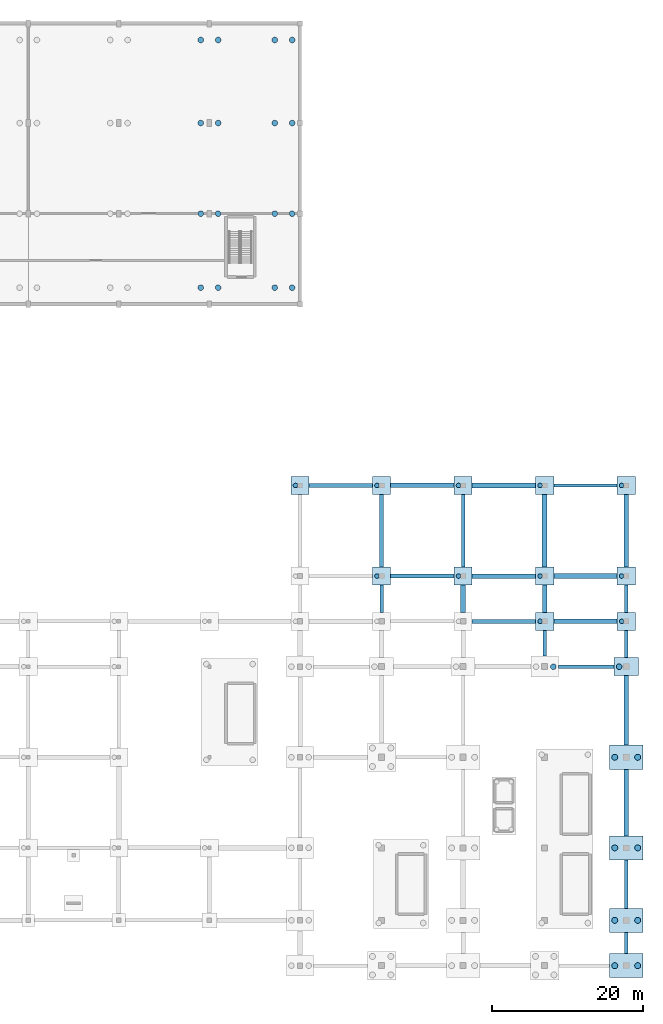
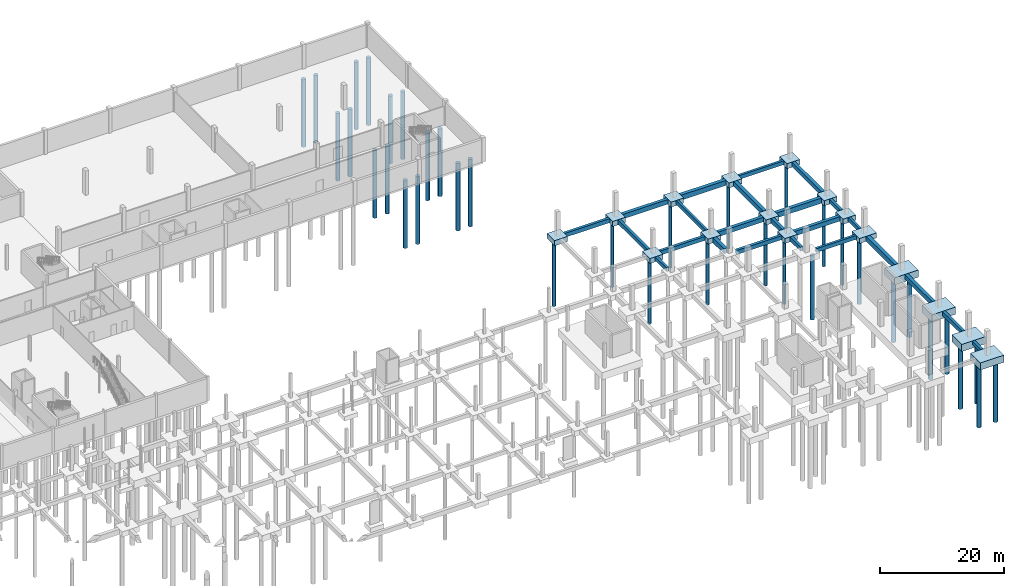
# One storey, part 6 of 31: 40 footings, 37 piles.
"""IFC4 building model written with IfcOpenShell, lengths in metres."""

from ifc_helpers import new_model, si_unit, direction, frame, origin, origin_2d, place, context, subcontext, project, spatial, rectangle, circle, extrude, material, layer, layer_set, material_profile, profile_set, type_object, element, save


model = new_model("IFC4")

# Units and contexts
model_context = context("Model", 3, precision=1e-05, world=origin(), true_north=direction((0.0, 1.0)))
body_context = subcontext(model_context, "Body", "Model", "MODEL_VIEW")
ifc_project = project(units=[si_unit("LENGTHUNIT", "METRE"), si_unit("AREAUNIT", "SQUARE_METRE"), si_unit("VOLUMEUNIT", "CUBIC_METRE"), si_unit("PLANEANGLEUNIT", "RADIAN"), si_unit("MASSUNIT", "GRAM", prefix="KILO")], contexts=[model_context])

# Site, building, storey
site_placement = place(None, origin())
site = spatial("IfcSite", under=ifc_project, at=site_placement, CompositionType="ELEMENT")
building_placement = place(site_placement, origin())
building = spatial("IfcBuilding", under=site, at=building_placement, Name="Merenkruunu Market Hall", CompositionType="ELEMENT")
storey_placement = place(building_placement, frame((0.0, 0.0, -4.800048828125)))
storey = spatial("IfcBuildingStorey", under=building, at=storey_placement, Name="B1", CompositionType="ELEMENT", Elevation=-4.800048828125)

# Footings
ifc_material = material(Name="Concrete C35/45", Category="concrete")
ifc_layer_1 = layer(ifc_material, 1.0)
ifc_layer_set_1 = layer_set([ifc_layer_1], Name="Concrete C35/45")
footing_type_1 = type_object("IfcFootingType", Name="Multi Pile Cap PC01", PredefinedType="PILE_CAP", material=ifc_layer_set_1)
for number, where, z_axis, x_axis, name in (
    (1, (148.800048828125, 63.60009765625, -1.0), (0.0, 0.0, 1.0), (1.0, 0.0, 0.0), "FTG-CAP-Q-08"),
    (2, (159.60009765625, 51.60009765625, -1.0), (0.0, 0.0, 1.0), (1.0, 0.0, 0.0), "FTG-CAP-R-07"),
    (3, (159.60009765625, 63.60009765625, -1.0), (0.0, 0.0, 1.0), (1.0, 0.0, 0.0), "FTG-CAP-R-08"),
    (4, (170.39990234375, 51.60009765625, -1.0), (0.0, 0.0, 1.0), (1.0, 0.0, 0.0), "FTG-CAP-S-07"),
    (5, (170.39990234375, 63.60009765625, -1.0), (0.0, 0.0, 1.0), (1.0, 0.0, 0.0), "FTG-CAP-S-08"),
    (6, (181.199951171875, 45.60009765625, -1.0), (0.0, 0.0, 1.0), (1.0, 0.0, 0.0), "FTG-CAP-T-06"),
    (7, (181.199951171875, 51.60009765625, -1.0), (0.0, 0.0, 1.0), (1.0, 0.0, 0.0), "FTG-CAP-T-07"),
    (8, (181.199951171875, 63.60009765625, -1.0), (0.0, 0.0, 1.0), (1.0, 0.0, 0.0), "FTG-CAP-T-08"),
    (9, (192.0, 45.60009765625, -1.0), (0.0, 0.0, 1.0), (1.0, 0.0, 0.0), "FTG-CAP-U-06"),
    (10, (192.0, 51.60009765625, -1.0), (0.0, 0.0, 1.0), (1.0, 0.0, 0.0), "FTG-CAP-U-07"),
    (11, (192.0, 63.60009765625, -1.0), (0.0, 0.0, 1.0), (1.0, 0.0, 0.0), "FTG-CAP-U-08"),
):
    element("IfcFooting", number, at=place(storey_placement, frame(where, z_axis=z_axis, x_axis=x_axis)), inside=storey, type_object=footing_type_1, Name=name, PredefinedType="PILE_CAP", context=body_context, shape_type="SweptSolid", body=[
        extrude(rectangle(XDim=2.39990234375, YDim=2.39990234375, at=origin_2d()), origin(), (0.0, 0.0, 1.0), 1.0),
    ])
ifc_layer_2 = layer(ifc_material, 1.0)
ifc_layer_set_2 = layer_set([ifc_layer_2], Name="Concrete C35/45")
footing_type_2 = type_object("IfcFootingType", Name="Multi Pile Cap PC03", PredefinedType="PILE_CAP", material=ifc_layer_set_2)
footing_1_placement = place(storey_placement, frame((192.0, 39.60009765625, -1.0), z_axis=(0.0, 0.0, 1.0), x_axis=(1.0, 0.0, 0.0)))
element("IfcFooting", 12, at=footing_1_placement, inside=storey, type_object=footing_type_2, Name="FTG-CAP-U-05", PredefinedType="PILE_CAP", context=body_context, shape_type="SweptSolid", body=[
    extrude(rectangle(XDim=3.199951171875, YDim=2.39990234375, at=origin_2d()), origin(), (0.0, 0.0, 1.0), 1.0),
])
ifc_layer_3 = layer(ifc_material, 1.39990234375)
ifc_layer_set_3 = layer_set([ifc_layer_3], Name="Concrete C35/45")
footing_type_3 = type_object("IfcFootingType", Name="Multi Pile Cap PC06", PredefinedType="PILE_CAP", material=ifc_layer_set_3)
for number, where, z_axis, x_axis, name in (
    (13, (192.0, 0.0, -1.39990234375), (0.0, 0.0, 1.0), (1.0, 0.0, 0.0), "FTG-CAP-U-01"),
    (14, (192.0, 6.0, -1.39990234375), (0.0, 0.0, 1.0), (1.0, 0.0, 0.0), "FTG-CAP-U-02"),
    (15, (192.0, 15.60009765625, -1.39990234375), (0.0, 0.0, 1.0), (1.0, 0.0, 0.0), "FTG-CAP-U-03"),
    (16, (192.0, 27.60009765625, -1.39990234375), (0.0, 0.0, 1.0), (1.0, 0.0, 0.0), "FTG-CAP-U-04"),
):
    element("IfcFooting", number, at=place(storey_placement, frame(where, z_axis=z_axis, x_axis=x_axis)), inside=storey, type_object=footing_type_3, Name=name, PredefinedType="PILE_CAP", context=body_context, shape_type="SweptSolid", body=[
        extrude(rectangle(XDim=4.39990234375, YDim=3.199951171875, at=origin_2d()), origin(), (0.0, 0.0, 1.0), 1.39990234375),
    ])

# Piles
ifc_material_profile_1 = material_profile(ifc_material, circle(Radius=0.300048828125, at=origin_2d()), Name="BORED PILE 600")
ifc_profile_set_1 = profile_set([ifc_material_profile_1], Name="Concrete C35/45")
pile_type_1 = type_object("IfcPileType", Name="Rock Socketed Bored Pile P01", PredefinedType="BORED", material=ifc_profile_set_1)
for number, where, z_axis, x_axis, name in (
    (17, (148.179931640625, 63.60009765625, -0.89990234375), (0.0, 0.0, -1.0), (1.0, 0.0, 0.0), "PILE-P01-0306"),
    (18, (158.97998046875, 51.60009765625, -0.89990234375), (0.0, 0.0, -1.0), (1.0, 0.0, 0.0), "PILE-P01-0317"),
    (19, (158.97998046875, 63.60009765625, -0.89990234375), (0.0, 0.0, -1.0), (1.0, 0.0, 0.0), "PILE-P01-0318"),
    (20, (169.780029296875, 51.60009765625, -0.89990234375), (0.0, 0.0, -1.0), (1.0, 0.0, 0.0), "PILE-P01-0329"),
    (21, (169.780029296875, 63.60009765625, -0.89990234375), (0.0, 0.0, -1.0), (1.0, 0.0, 0.0), "PILE-P01-0330"),
    (22, (180.580078125, 45.60009765625, -0.89990234375), (0.0, 0.0, -1.0), (1.0, 0.0, 0.0), "PILE-P01-0337"),
    (23, (180.580078125, 51.60009765625, -0.89990234375), (0.0, 0.0, -1.0), (1.0, 0.0, 0.0), "PILE-P01-0338"),
    (24, (180.580078125, 63.60009765625, -0.89990234375), (0.0, 0.0, -1.0), (1.0, 0.0, 0.0), "PILE-P01-0339"),
    (25, (191.3798828125, 45.60009765625, -0.89990234375), (0.0, 0.0, -1.0), (1.0, 0.0, 0.0), "PILE-P01-0349"),
    (26, (191.3798828125, 51.60009765625, -0.89990234375), (0.0, 0.0, -1.0), (1.0, 0.0, 0.0), "PILE-P01-0350"),
    (27, (191.3798828125, 63.60009765625, -0.89990234375), (0.0, 0.0, -1.0), (1.0, 0.0, 0.0), "PILE-P01-0351"),
):
    element("IfcPile", number, at=place(storey_placement, frame(where, z_axis=z_axis, x_axis=x_axis)), inside=storey, type_object=pile_type_1, Name=name, PredefinedType="BORED", context=body_context, shape_type="SweptSolid", body=[
        extrude(circle(Radius=0.300048828125, at=origin_2d()), origin(), (0.0, 0.0, 1.0), 12.800048828125),
    ])
ifc_material_profile_2 = material_profile(ifc_material, circle(Radius=0.375, at=origin_2d()), Name="BORED PILE 750")
ifc_profile_set_2 = profile_set([ifc_material_profile_2], Name="Concrete C35/45")
pile_type_2 = type_object("IfcPileType", Name="Rock Socketed Bored Pile P02", PredefinedType="BORED", material=ifc_profile_set_2)
for number, where, z_axis, x_axis, name in (
    (28, (135.64990234375, 89.800048828125, -0.419921875), (0.0, 0.0, -1.0), (1.0, 0.0, 0.0), "PILE-P02-0156"),
    (29, (137.949951171875, 89.800048828125, -0.419921875), (0.0, 0.0, -1.0), (1.0, 0.0, 0.0), "PILE-P02-0157"),
    (30, (135.64990234375, 99.60009765625, -0.419921875), (0.0, 0.0, -1.0), (1.0, 0.0, 0.0), "PILE-P02-0158"),
    (31, (137.949951171875, 99.60009765625, -0.419921875), (0.0, 0.0, -1.0), (1.0, 0.0, 0.0), "PILE-P02-0159"),
    (32, (135.64990234375, 111.60009765625, -0.419921875), (0.0, 0.0, -1.0), (1.0, 0.0, 0.0), "PILE-P02-0160"),
    (33, (137.949951171875, 111.60009765625, -0.419921875), (0.0, 0.0, -1.0), (1.0, 0.0, 0.0), "PILE-P02-0161"),
    (34, (135.64990234375, 122.60009765625, -0.419921875), (0.0, 0.0, -1.0), (1.0, 0.0, 0.0), "PILE-P02-0162"),
    (35, (137.949951171875, 122.60009765625, -0.419921875), (0.0, 0.0, -1.0), (1.0, 0.0, 0.0), "PILE-P02-0163"),
    (36, (145.449951171875, 89.800048828125, -0.419921875), (0.0, 0.0, -1.0), (1.0, 0.0, 0.0), "PILE-P02-0164"),
    (37, (147.75, 89.800048828125, -0.419921875), (0.0, 0.0, -1.0), (1.0, 0.0, 0.0), "PILE-P02-0165"),
    (38, (145.449951171875, 99.60009765625, -0.419921875), (0.0, 0.0, -1.0), (1.0, 0.0, 0.0), "PILE-P02-0166"),
    (39, (147.75, 99.60009765625, -0.419921875), (0.0, 0.0, -1.0), (1.0, 0.0, 0.0), "PILE-P02-0167"),
    (40, (145.449951171875, 111.60009765625, -0.419921875), (0.0, 0.0, -1.0), (1.0, 0.0, 0.0), "PILE-P02-0168"),
    (41, (147.75, 111.60009765625, -0.419921875), (0.0, 0.0, -1.0), (1.0, 0.0, 0.0), "PILE-P02-0169"),
    (42, (145.449951171875, 122.60009765625, -0.419921875), (0.0, 0.0, -1.0), (1.0, 0.0, 0.0), "PILE-P02-0170"),
    (43, (147.75, 122.60009765625, -0.419921875), (0.0, 0.0, -1.0), (1.0, 0.0, 0.0), "PILE-P02-0171"),
):
    element("IfcPile", number, at=place(storey_placement, frame(where, z_axis=z_axis, x_axis=x_axis)), inside=storey, type_object=pile_type_2, Name=name, PredefinedType="BORED", context=body_context, shape_type="SweptSolid", body=[
        extrude(circle(Radius=0.375, at=origin_2d()), origin(), (0.0, 0.0, 1.0), 13.280029296875),
    ])
pile_1_placement = place(storey_placement, frame((182.344970703125, 39.60009765625, -1.099853515625), z_axis=(0.0, 0.0, -1.0), x_axis=(1.0, 0.0, 0.0)))
element("IfcPile", 44, at=pile_1_placement, inside=storey, type_object=pile_type_2, Name="PILE-P02-0336", PredefinedType="BORED", context=body_context, shape_type="SweptSolid", body=[
    extrude(circle(Radius=0.375, at=origin_2d()), origin(), (0.0, 0.0, 1.0), 12.60009765625),
])
pile_2_placement = place(storey_placement, frame((191.054931640625, 39.60009765625, -0.89990234375), z_axis=(0.0, 0.0, -1.0), x_axis=(1.0, 0.0, 0.0)))
element("IfcPile", 45, at=pile_2_placement, inside=storey, type_object=pile_type_2, Name="PILE-P02-0348", PredefinedType="BORED", context=body_context, shape_type="SweptSolid", body=[
    extrude(circle(Radius=0.375, at=origin_2d()), origin(), (0.0, 0.0, 1.0), 12.800048828125),
])
ifc_material_profile_3 = material_profile(ifc_material, circle(Radius=0.39990234375, at=origin_2d()), Name="BORED PILE 800")
ifc_profile_set_3 = profile_set([ifc_material_profile_3], Name="Concrete C35/45")
pile_type_3 = type_object("IfcPileType", Name="Rock Socketed Bored Pile P03", PredefinedType="BORED", material=ifc_profile_set_3)
for number, where, z_axis, x_axis, name in (
    (46, (190.47998046875, 0.0, -1.300048828125), (0.0, 0.0, -1.0), (1.0, 0.0, 0.0), "PILE-P03-0340"),
    (47, (193.52001953125, 0.0, -1.300048828125), (0.0, 0.0, -1.0), (1.0, 0.0, 0.0), "PILE-P03-0341"),
    (48, (190.47998046875, 6.0, -1.300048828125), (0.0, 0.0, -1.0), (1.0, 0.0, 0.0), "PILE-P03-0342"),
    (49, (193.52001953125, 6.0, -1.300048828125), (0.0, 0.0, -1.0), (1.0, 0.0, 0.0), "PILE-P03-0343"),
    (50, (190.47998046875, 15.60009765625, -1.300048828125), (0.0, 0.0, -1.0), (1.0, 0.0, 0.0), "PILE-P03-0344"),
    (51, (193.52001953125, 15.60009765625, -1.300048828125), (0.0, 0.0, -1.0), (1.0, 0.0, 0.0), "PILE-P03-0345"),
    (52, (190.47998046875, 27.60009765625, -1.300048828125), (0.0, 0.0, -1.0), (1.0, 0.0, 0.0), "PILE-P03-0346"),
    (53, (193.52001953125, 27.60009765625, -1.300048828125), (0.0, 0.0, -1.0), (1.0, 0.0, 0.0), "PILE-P03-0347"),
):
    element("IfcPile", number, at=place(storey_placement, frame(where, z_axis=z_axis, x_axis=x_axis)), inside=storey, type_object=pile_type_3, Name=name, PredefinedType="BORED", context=body_context, shape_type="SweptSolid", body=[
        extrude(circle(Radius=0.39990234375, at=origin_2d()), origin(), (0.0, 0.0, 1.0), 12.39990234375),
    ])

# Footings
ifc_layer_4 = layer(ifc_material, 0.800048828125)
ifc_layer_set_4 = layer_set([ifc_layer_4], Name="Concrete C35/45")
footing_type_4 = type_object("IfcFootingType", Name="Tie Ground Beam GB01", PredefinedType="FOOTING_BEAM", material=ifc_layer_set_4)
for number, where, z_axis, x_axis, name in (
    (54, (175.800048828125, 45.60009765625, -0.7998046875), (0.0, 0.0, 1.0), (1.0, 0.0, 0.0), "FTG-GB-EW-077"),
    (55, (165.0, 51.60009765625, -0.7998046875), (0.0, 0.0, 1.0), (1.0, 0.0, 0.0), "FTG-GB-EW-081"),
    (56, (154.199951171875, 63.60009765625, -0.7998046875), (0.0, 0.0, 1.0), (1.0, 0.0, 0.0), "FTG-GB-EW-085"),
):
    element("IfcFooting", number, at=place(storey_placement, frame(where, z_axis=z_axis, x_axis=x_axis)), inside=storey, type_object=footing_type_4, Name=name, PredefinedType="FOOTING_BEAM", context=body_context, shape_type="SweptSolid", body=[
        extrude(rectangle(XDim=8.39990234375, YDim=0.5, at=origin_2d()), origin(), (0.0, 0.0, 1.0), 0.800048828125),
    ])
footing_2_placement = place(storey_placement, frame((159.60009765625, 57.60009765625, -0.7998046875), z_axis=(0.0, 0.0, 1.0), x_axis=(0.0, 1.0, 0.0)))
element("IfcFooting", 57, at=footing_2_placement, inside=storey, type_object=footing_type_4, Name="FTG-GB-NS-165", PredefinedType="FOOTING_BEAM", context=body_context, shape_type="SweptSolid", body=[
    extrude(rectangle(XDim=9.60009765625, YDim=0.5, at=origin_2d()), origin(), (0.0, 0.0, 1.0), 0.800048828125),
])
footing_3_placement = place(storey_placement, frame((181.199951171875, 42.699951171875, -0.7998046875), z_axis=(0.0, 0.0, 1.0), x_axis=(0.0, 1.0, 0.0)))
element("IfcFooting", 58, at=footing_3_placement, inside=storey, type_object=footing_type_4, Name="FTG-GB-NS-173", PredefinedType="FOOTING_BEAM", context=body_context, shape_type="SweptSolid", body=[
    extrude(rectangle(XDim=3.39990234375, YDim=0.5, at=origin_2d()), origin(), (0.0, 0.0, 1.0), 0.800048828125),
])
footing_4_placement = place(storey_placement, frame((192.0, 10.800048828125, -0.7998046875), z_axis=(0.0, 0.0, 1.0), x_axis=(0.0, 1.0, 0.0)))
element("IfcFooting", 59, at=footing_4_placement, inside=storey, type_object=footing_type_4, Name="FTG-GB-NS-177", PredefinedType="FOOTING_BEAM", context=body_context, shape_type="SweptSolid", body=[
    extrude(rectangle(XDim=6.39990234375, YDim=0.5, at=origin_2d()), origin(), (0.0, 0.0, 1.0), 0.800048828125),
])
footing_5_placement = place(storey_placement, frame((192.0, 48.60009765625, -0.7998046875), z_axis=(0.0, 0.0, 1.0), x_axis=(0.0, 1.0, 0.0)))
element("IfcFooting", 60, at=footing_5_placement, inside=storey, type_object=footing_type_4, Name="FTG-GB-NS-181", PredefinedType="FOOTING_BEAM", context=body_context, shape_type="SweptSolid", body=[
    extrude(rectangle(XDim=3.60009765625, YDim=0.5, at=origin_2d()), origin(), (0.0, 0.0, 1.0), 0.800048828125),
])
ifc_layer_5 = layer(ifc_material, 0.89990234375)
ifc_layer_set_5 = layer_set([ifc_layer_5], Name="Concrete C35/45")
footing_type_5 = type_object("IfcFootingType", Name="Tie Ground Beam GB02", PredefinedType="FOOTING_BEAM", material=ifc_layer_set_5)
for number, where, z_axis, x_axis, name in (
    (61, (186.60009765625, 45.60009765625, -0.89990234375), (0.0, 0.0, 1.0), (1.0, 0.0, 0.0), "FTG-GB-EW-078"),
    (62, (175.800048828125, 51.60009765625, -0.89990234375), (0.0, 0.0, 1.0), (1.0, 0.0, 0.0), "FTG-GB-EW-082"),
    (63, (165.0, 63.60009765625, -0.89990234375), (0.0, 0.0, 1.0), (1.0, 0.0, 0.0), "FTG-GB-EW-086"),
):
    element("IfcFooting", number, at=place(storey_placement, frame(where, z_axis=z_axis, x_axis=x_axis)), inside=storey, type_object=footing_type_5, Name=name, PredefinedType="FOOTING_BEAM", context=body_context, shape_type="SweptSolid", body=[
        extrude(rectangle(XDim=8.39990234375, YDim=0.60009765625, at=origin_2d()), origin(), (0.0, 0.0, 1.0), 0.89990234375),
    ])
footing_6_placement = place(storey_placement, frame((181.199951171875, 48.60009765625, -0.89990234375), z_axis=(0.0, 0.0, 1.0), x_axis=(0.0, 1.0, 0.0)))
element("IfcFooting", 64, at=footing_6_placement, inside=storey, type_object=footing_type_5, Name="FTG-GB-NS-174", PredefinedType="FOOTING_BEAM", context=body_context, shape_type="SweptSolid", body=[
    extrude(rectangle(XDim=3.60009765625, YDim=0.60009765625, at=origin_2d()), origin(), (0.0, 0.0, 1.0), 0.89990234375),
])
footing_7_placement = place(storey_placement, frame((192.0, 21.60009765625, -0.89990234375), z_axis=(0.0, 0.0, 1.0), x_axis=(0.0, 1.0, 0.0)))
element("IfcFooting", 65, at=footing_7_placement, inside=storey, type_object=footing_type_5, Name="FTG-GB-NS-178", PredefinedType="FOOTING_BEAM", context=body_context, shape_type="SweptSolid", body=[
    extrude(rectangle(XDim=8.800048828125, YDim=0.60009765625, at=origin_2d()), origin(), (0.0, 0.0, 1.0), 0.89990234375),
])
footing_8_placement = place(storey_placement, frame((192.0, 57.60009765625, -0.89990234375), z_axis=(0.0, 0.0, 1.0), x_axis=(0.0, 1.0, 0.0)))
element("IfcFooting", 66, at=footing_8_placement, inside=storey, type_object=footing_type_5, Name="FTG-GB-NS-182", PredefinedType="FOOTING_BEAM", context=body_context, shape_type="SweptSolid", body=[
    extrude(rectangle(XDim=9.60009765625, YDim=0.60009765625, at=origin_2d()), origin(), (0.0, 0.0, 1.0), 0.89990234375),
])
ifc_layer_6 = layer(ifc_material, 1.0)
ifc_layer_set_6 = layer_set([ifc_layer_6], Name="Concrete C35/45")
footing_type_6 = type_object("IfcFootingType", Name="Tie Ground Beam GB03", PredefinedType="FOOTING_BEAM", material=ifc_layer_set_6)
for number, where, z_axis, x_axis, name in (
    (67, (186.60009765625, 51.60009765625, -1.0), (0.0, 0.0, 1.0), (1.0, 0.0, 0.0), "FTG-GB-EW-083"),
    (68, (175.800048828125, 63.60009765625, -1.0), (0.0, 0.0, 1.0), (1.0, 0.0, 0.0), "FTG-GB-EW-087"),
):
    element("IfcFooting", number, at=place(storey_placement, frame(where, z_axis=z_axis, x_axis=x_axis)), inside=storey, type_object=footing_type_6, Name=name, PredefinedType="FOOTING_BEAM", context=body_context, shape_type="SweptSolid", body=[
        extrude(rectangle(XDim=8.39990234375, YDim=0.64990234375, at=origin_2d()), origin(), (0.0, 0.0, 1.0), 1.0),
    ])
footing_9_placement = place(storey_placement, frame((170.39990234375, 48.60009765625, -1.0), z_axis=(0.0, 0.0, 1.0), x_axis=(0.0, 1.0, 0.0)))
element("IfcFooting", 69, at=footing_9_placement, inside=storey, type_object=footing_type_6, Name="FTG-GB-NS-171", PredefinedType="FOOTING_BEAM", context=body_context, shape_type="SweptSolid", body=[
    extrude(rectangle(XDim=3.60009765625, YDim=0.64990234375, at=origin_2d()), origin(), (0.0, 0.0, 1.0), 1.0),
])
footing_10_placement = place(storey_placement, frame((181.199951171875, 57.60009765625, -1.0), z_axis=(0.0, 0.0, 1.0), x_axis=(0.0, 1.0, 0.0)))
element("IfcFooting", 70, at=footing_10_placement, inside=storey, type_object=footing_type_6, Name="FTG-GB-NS-175", PredefinedType="FOOTING_BEAM", context=body_context, shape_type="SweptSolid", body=[
    extrude(rectangle(XDim=9.60009765625, YDim=0.64990234375, at=origin_2d()), origin(), (0.0, 0.0, 1.0), 1.0),
])
footing_11_placement = place(storey_placement, frame((192.0, 33.800048828125, -1.0), z_axis=(0.0, 0.0, 1.0), x_axis=(0.0, 1.0, 0.0)))
element("IfcFooting", 71, at=footing_11_placement, inside=storey, type_object=footing_type_6, Name="FTG-GB-NS-179", PredefinedType="FOOTING_BEAM", context=body_context, shape_type="SweptSolid", body=[
    extrude(rectangle(XDim=9.199951171875, YDim=0.64990234375, at=origin_2d()), origin(), (0.0, 0.0, 1.0), 1.0),
])
ifc_layer_7 = layer(ifc_material, 0.75)
ifc_layer_set_7 = layer_set([ifc_layer_7], Name="Concrete C35/45")
footing_type_7 = type_object("IfcFootingType", Name="Tie Ground Beam GB04", PredefinedType="FOOTING_BEAM", material=ifc_layer_set_7)
footing_12_placement = place(storey_placement, frame((186.699951171875, 39.60009765625, -0.75), z_axis=(0.0, 0.0, 1.0), x_axis=(1.0, 0.0, 0.0)))
element("IfcFooting", 72, at=footing_12_placement, inside=storey, type_object=footing_type_7, Name="FTG-GB-EW-060", PredefinedType="FOOTING_BEAM", context=body_context, shape_type="SweptSolid", body=[
    extrude(rectangle(XDim=7.39990234375, YDim=0.449951171875, at=origin_2d()), origin(), (0.0, 0.0, 1.0), 0.75),
])
footing_13_placement = place(storey_placement, frame((186.60009765625, 63.60009765625, -0.75), z_axis=(0.0, 0.0, 1.0), x_axis=(1.0, 0.0, 0.0)))
element("IfcFooting", 73, at=footing_13_placement, inside=storey, type_object=footing_type_7, Name="FTG-GB-EW-088", PredefinedType="FOOTING_BEAM", context=body_context, shape_type="SweptSolid", body=[
    extrude(rectangle(XDim=8.39990234375, YDim=0.449951171875, at=origin_2d()), origin(), (0.0, 0.0, 1.0), 0.75),
])
footing_14_placement = place(storey_placement, frame((159.60009765625, 48.60009765625, -0.75), z_axis=(0.0, 0.0, 1.0), x_axis=(0.0, 1.0, 0.0)))
element("IfcFooting", 74, at=footing_14_placement, inside=storey, type_object=footing_type_7, Name="FTG-GB-NS-164", PredefinedType="FOOTING_BEAM", context=body_context, shape_type="SweptSolid", body=[
    extrude(rectangle(XDim=3.60009765625, YDim=0.449951171875, at=origin_2d()), origin(), (0.0, 0.0, 1.0), 0.75),
])
footing_15_placement = place(storey_placement, frame((170.39990234375, 57.60009765625, -0.75), z_axis=(0.0, 0.0, 1.0), x_axis=(0.0, 1.0, 0.0)))
element("IfcFooting", 75, at=footing_15_placement, inside=storey, type_object=footing_type_7, Name="FTG-GB-NS-172", PredefinedType="FOOTING_BEAM", context=body_context, shape_type="SweptSolid", body=[
    extrude(rectangle(XDim=9.60009765625, YDim=0.449951171875, at=origin_2d()), origin(), (0.0, 0.0, 1.0), 0.75),
])
footing_16_placement = place(storey_placement, frame((192.0, 3.0, -0.75), z_axis=(0.0, 0.0, 1.0), x_axis=(0.0, 1.0, 0.0)))
element("IfcFooting", 76, at=footing_16_placement, inside=storey, type_object=footing_type_7, Name="FTG-GB-NS-176", PredefinedType="FOOTING_BEAM", context=body_context, shape_type="SweptSolid", body=[
    extrude(rectangle(XDim=2.800048828125, YDim=0.449951171875, at=origin_2d()), origin(), (0.0, 0.0, 1.0), 0.75),
])
footing_17_placement = place(storey_placement, frame((192.0, 42.60009765625, -0.75), z_axis=(0.0, 0.0, 1.0), x_axis=(0.0, 1.0, 0.0)))
element("IfcFooting", 77, at=footing_17_placement, inside=storey, type_object=footing_type_7, Name="FTG-GB-NS-180", PredefinedType="FOOTING_BEAM", context=body_context, shape_type="SweptSolid", body=[
    extrude(rectangle(XDim=3.60009765625, YDim=0.449951171875, at=origin_2d()), origin(), (0.0, 0.0, 1.0), 0.75),
])

save(model, "model.ifc")
